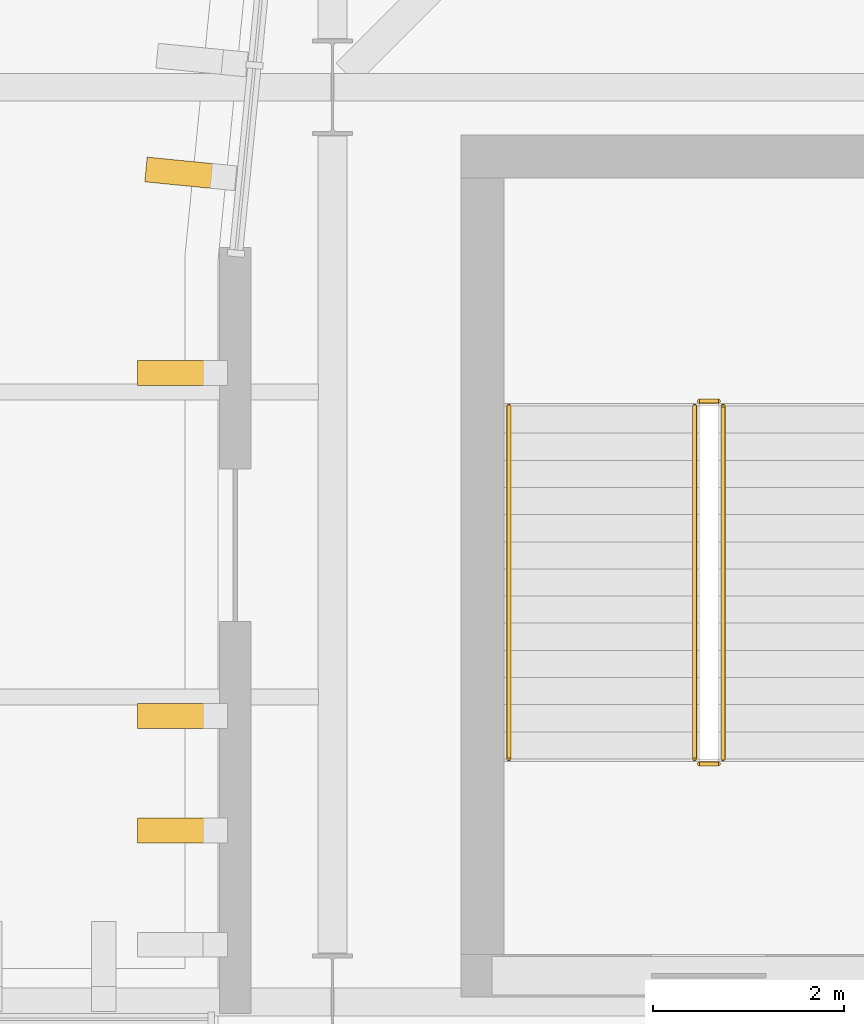
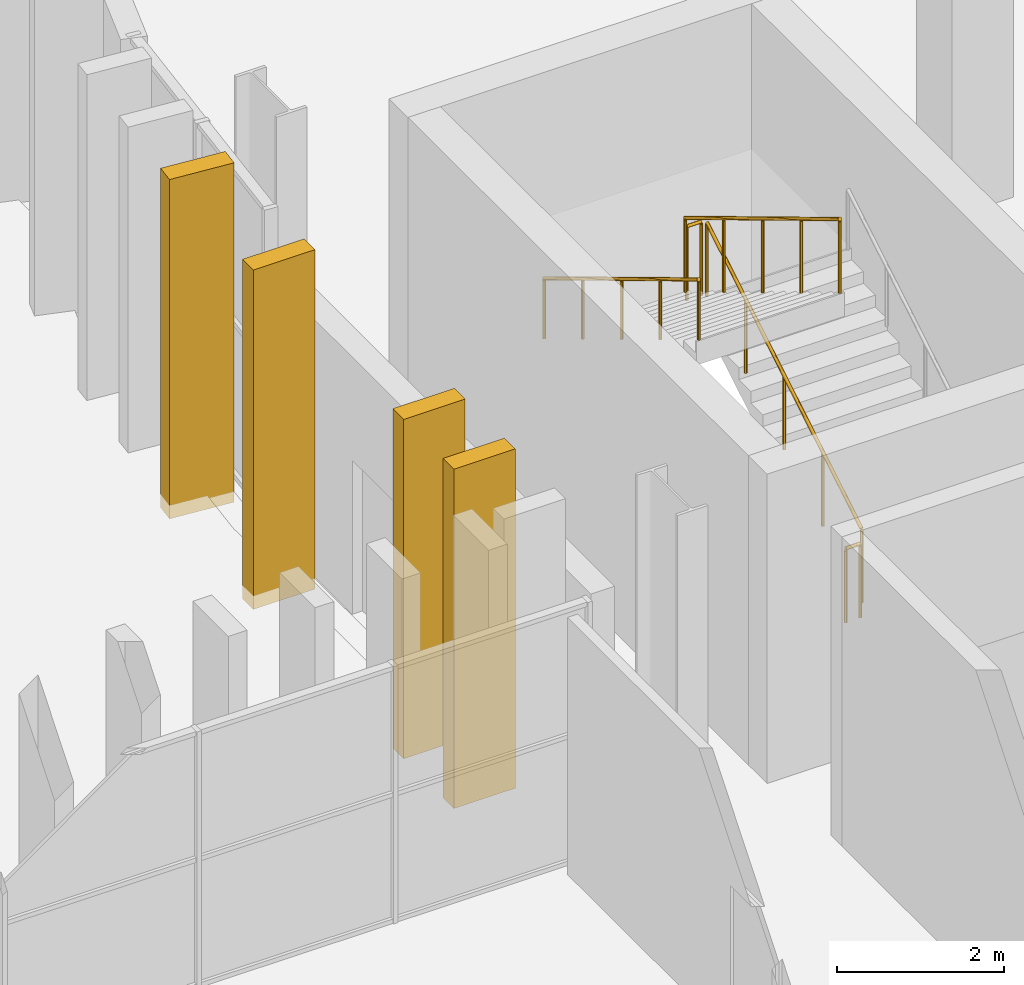
# One storey, part 85 of 99: 5 railings, 4 coverings.
"""IFC4 building model written with IfcOpenShell, lengths in metres."""

from ifc_helpers import new_model, si_unit, direction, frame, origin, origin_2d, place, context, subcontext, project, spatial, rectangle, circle, extrude, material, material_profile, profile_set, type_object, element, save


model = new_model("IFC4")

# Units and contexts
model_context = context("Model", 3, precision=1e-05, world=origin(), true_north=direction((0.0, 1.0)))
body_context = subcontext(model_context, "Body", "Model", "MODEL_VIEW")
ifc_project = project(units=[si_unit("LENGTHUNIT", "METRE"), si_unit("AREAUNIT", "SQUARE_METRE"), si_unit("VOLUMEUNIT", "CUBIC_METRE"), si_unit("PLANEANGLEUNIT", "RADIAN"), si_unit("MASSUNIT", "GRAM", prefix="KILO")], contexts=[model_context])

# Site, building, storey
site_placement = place(None, origin())
site = spatial("IfcSite", under=ifc_project, at=site_placement, CompositionType="ELEMENT")
building_placement = place(site_placement, origin())
building = spatial("IfcBuilding", under=site, at=building_placement, Name="Caelomonte Colonnade Arena", CompositionType="ELEMENT")
storey_placement = place(building_placement, frame((0.0, 0.0, 4.800048828125)))
storey = spatial("IfcBuildingStorey", under=building, at=storey_placement, Name="L01", CompositionType="ELEMENT", Elevation=4.800048828125)

# Coverings
ifc_material_1 = material(Name="Precast travertine cladding", Category="masonry")
ifc_material_profile = material_profile(ifc_material_1, rectangle(XDim=0.260009765625, YDim=0.85009765625, at=origin_2d()), Name="FIN260X850")
ifc_profile_set = profile_set([ifc_material_profile], Name="Precast travertine cladding")
covering_type = type_object("IfcCoveringType", Name="ENV-FN-SHAFT", PredefinedType="CLADDING", material=ifc_profile_set)
for number, where, z_axis, x_axis, name in (
    (1, (56.065185546875, 95.095458984375, -0.16015625), (0.0, 0.0, 1.0), (0.098015403404, 0.995184897743, 0.0), "V1 L01 classical travertine vertical fin 170"),
    (2, (55.97900390625, 93.0, -0.16015625), (0.0, 0.0, 1.0), (0.0, 1.0, 0.0), "V1 L01 classical travertine vertical fin 171"),
    (3, (55.97900390625, 89.39990234375, -0.16015625), (0.0, 0.0, 1.0), (0.0, 1.0, 0.0), "V1 L01 classical travertine vertical fin 174"),
    (4, (55.97900390625, 88.199951171875, -0.16015625), (0.0, 0.0, 1.0), (0.0, 1.0, 0.0), "V1 L01 classical travertine vertical fin 175"),
):
    element("IfcCovering", number, at=place(storey_placement, frame(where, z_axis=z_axis, x_axis=x_axis)), inside=storey, type_object=covering_type, Name=name, PredefinedType="CLADDING", context=body_context, shape_type="SweptSolid", body=[
        extrude(rectangle(XDim=0.260009765625, YDim=0.85009765625, at=origin_2d()), origin(), (0.0, 0.0, 1.0), 4.960205078125),
    ])

# Railings
ifc_material_2 = material(Name="Painted galvanized steel stair guard", Category="steel")
railing_type_1 = type_object("IfcRailingType", Name="INT-RL-GRD", PredefinedType="GUARDRAIL", material=ifc_material_2)
railing_1_placement = place(storey_placement, frame((61.699951171875, 88.949951171875, 0.17138671875)))
element("IfcRailing", 5, at=railing_1_placement, inside=storey, type_object=railing_type_1, Name="L01 ST-04 stair guard 1", PredefinedType="GUARDRAIL", context=body_context, shape_type="SweptSolid", body=[
    extrude(circle(Radius=0.02392578125, at=origin_2d()), frame((0.0, 0.0, 1.076171875), z_axis=(0.0, 0.856934400257, 0.515425487977), x_axis=(-1.0, 0.0, 0.0)), (0.0, 0.0, 1.0), 4.32373046875),
    extrude(circle(Radius=0.02099609375, at=origin_2d()), origin(), (0.0, 0.0, 1.0), 1.048095703125),
    extrude(circle(Radius=0.02099609375, at=origin_2d()), frame((0.0, 0.92626953125, 0.55712890625)), (0.0, 0.0, 1.0), 1.048095703125),
    extrude(circle(Radius=0.02099609375, at=origin_2d()), frame((0.0, 1.8525390625, 1.1142578125)), (0.0, 0.0, 1.0), 1.048095703125),
    extrude(circle(Radius=0.02099609375, at=origin_2d()), frame((0.0, 2.77880859375, 1.67138671875)), (0.0, 0.0, 1.0), 1.048095703125),
    extrude(circle(Radius=0.02099609375, at=origin_2d()), frame((0.0, 3.705078125, 2.228515625)), (0.0, 0.0, 1.0), 1.048095703125),
])
railing_2_placement = place(storey_placement, frame((61.64990234375, 92.705078125, 2.39990234375)))
element("IfcRailing", 6, at=railing_2_placement, inside=storey, type_object=railing_type_1, Name="L01 ST-04 stair guard 2", PredefinedType="GUARDRAIL", context=body_context, shape_type="SweptSolid", body=[
    extrude(circle(Radius=0.02392578125, at=origin_2d()), frame((0.0, 0.0, 1.076171875), z_axis=(-1.0, 0.0, 0.0), x_axis=(0.0, -1.0, 0.0)), (0.0, 0.0, 1.0), 0.199951171875),
    extrude(circle(Radius=0.02099609375, at=origin_2d()), origin(), (0.0, 0.0, 1.0), 1.048095703125),
    extrude(circle(Radius=0.02099609375, at=origin_2d()), frame((-0.199951171875, 0.0, 0.0)), (0.0, 0.0, 1.0), 1.048095703125),
])
railing_3_placement = place(storey_placement, frame((61.39990234375, 92.655029296875, 2.5712890625)))
element("IfcRailing", 7, at=railing_3_placement, inside=storey, type_object=railing_type_1, Name="L01 ST-04 stair guard 3", PredefinedType="GUARDRAIL", context=body_context, shape_type="SweptSolid", body=[
    extrude(circle(Radius=0.02392578125, at=origin_2d()), frame((0.0, 0.0, 1.076171875), z_axis=(0.0, -0.856909459561, 0.515466951525), x_axis=(1.0, 0.0, 0.0)), (0.0, 0.0, 1.0), 4.32373046875),
    extrude(circle(Radius=0.02099609375, at=origin_2d()), origin(), (0.0, 0.0, 1.0), 1.048095703125),
    extrude(circle(Radius=0.02099609375, at=origin_2d()), frame((0.0, -0.92626953125, 0.55712890625)), (0.0, 0.0, 1.0), 1.048095703125),
    extrude(circle(Radius=0.02099609375, at=origin_2d()), frame((0.0, -1.8525390625, 1.1142578125)), (0.0, 0.0, 1.0), 1.048095703125),
    extrude(circle(Radius=0.02099609375, at=origin_2d()), frame((0.0, -2.77880859375, 1.671630859375)), (0.0, 0.0, 1.0), 1.048095703125),
    extrude(circle(Radius=0.02099609375, at=origin_2d()), frame((0.0, -3.705078125, 2.228759765625)), (0.0, 0.0, 1.0), 1.048095703125),
])
railing_4_placement = place(storey_placement, frame((61.64990234375, 88.89990234375, 0.0)))
element("IfcRailing", 8, at=railing_4_placement, inside=storey, type_object=railing_type_1, Name="L01 ST-04 stair guard 4", PredefinedType="GUARDRAIL", context=body_context, shape_type="SweptSolid", body=[
    extrude(circle(Radius=0.02392578125, at=origin_2d()), frame((0.0, 0.0, 1.076171875), z_axis=(-1.0, 0.0, 0.0), x_axis=(0.0, -1.0, 0.0)), (0.0, 0.0, 1.0), 0.199951171875),
    extrude(circle(Radius=0.02099609375, at=origin_2d()), origin(), (0.0, 0.0, 1.0), 1.048095703125),
    extrude(circle(Radius=0.02099609375, at=origin_2d()), frame((-0.199951171875, 0.0, 0.0)), (0.0, 0.0, 1.0), 1.048095703125),
])
ifc_material_3 = material(Name="Brushed stainless steel stair handrail", Category="steel")
railing_type_2 = type_object("IfcRailingType", Name="INT-RL-HR", PredefinedType="HANDRAIL", material=ifc_material_3)
railing_5_placement = place(storey_placement, frame((59.449951171875, 92.655029296875, 2.5712890625)))
element("IfcRailing", 9, at=railing_5_placement, inside=storey, type_object=railing_type_2, Name="L01 ST-04 stair handrail 2", PredefinedType="HANDRAIL", context=body_context, shape_type="SweptSolid", body=[
    extrude(circle(Radius=0.02392578125, at=origin_2d()), frame((0.0, 0.0, 0.8759765625), z_axis=(0.0, -0.856909459561, 0.515466951525), x_axis=(1.0, 0.0, 0.0)), (0.0, 0.0, 1.0), 4.32373046875),
    extrude(circle(Radius=0.02099609375, at=origin_2d()), origin(), (0.0, 0.0, 1.0), 0.847900390625),
    extrude(circle(Radius=0.02099609375, at=origin_2d()), frame((0.0, -0.92626953125, 0.55712890625)), (0.0, 0.0, 1.0), 0.847900390625),
    extrude(circle(Radius=0.02099609375, at=origin_2d()), frame((0.0, -1.8525390625, 1.1142578125)), (0.0, 0.0, 1.0), 0.847900390625),
    extrude(circle(Radius=0.02099609375, at=origin_2d()), frame((0.0, -2.77880859375, 1.671630859375)), (0.0, 0.0, 1.0), 0.847900390625),
    extrude(circle(Radius=0.02099609375, at=origin_2d()), frame((0.0, -3.705078125, 2.228759765625)), (0.0, 0.0, 1.0), 0.847900390625),
])

save(model, "model.ifc")
